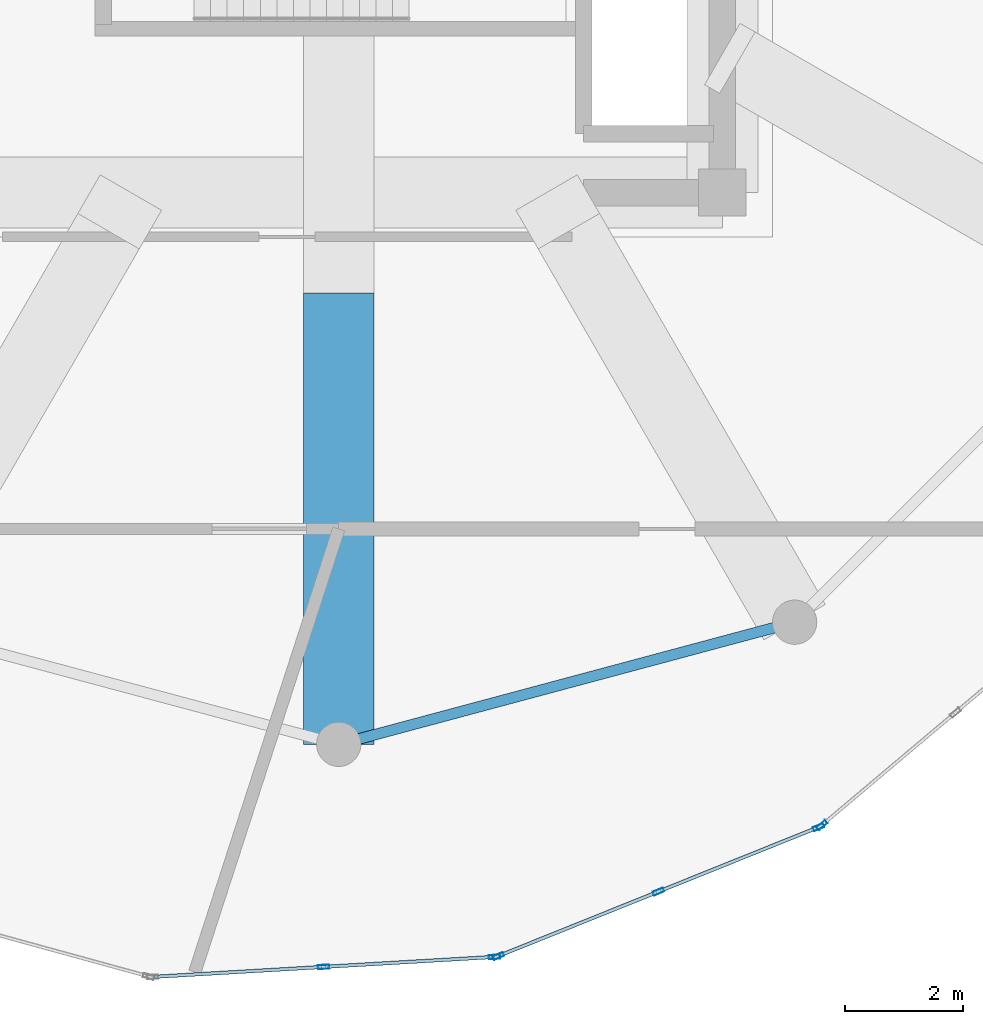
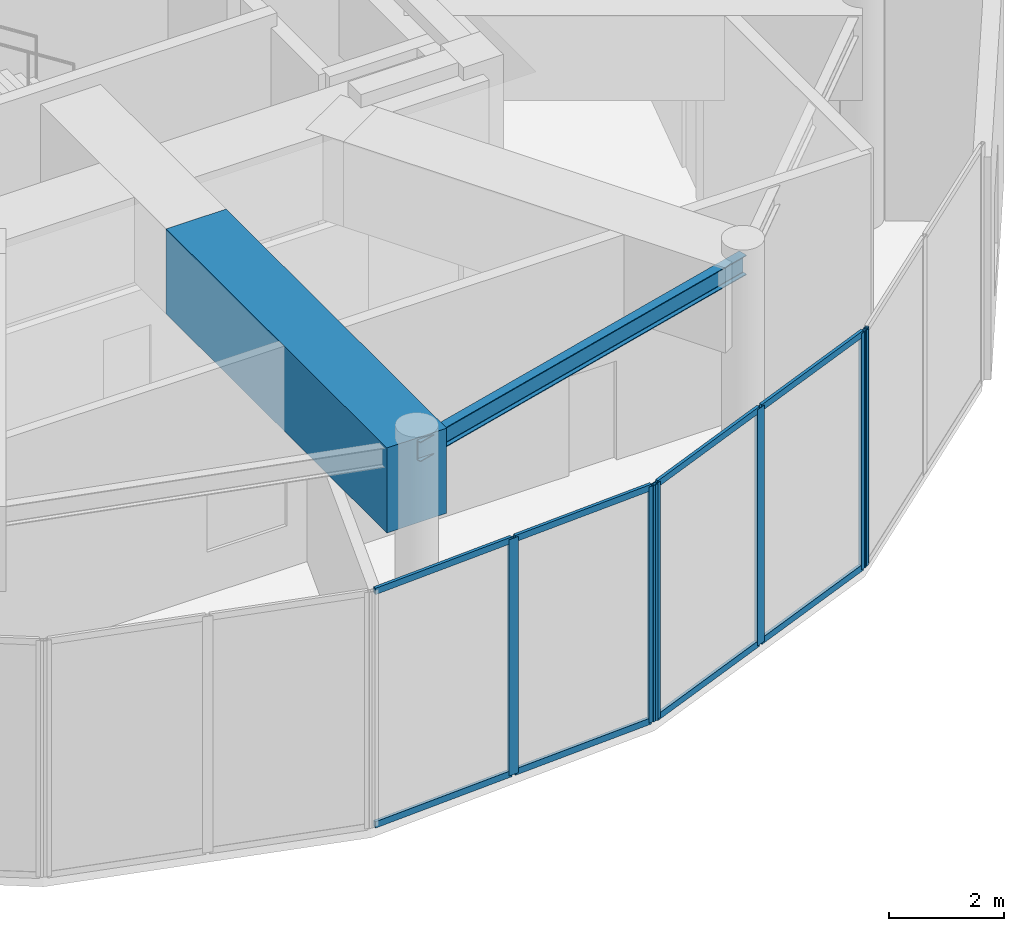
# One storey, part 5 of 20: 14 members, 2 beams, 3 elements without a shape of their own.
"""IFC4 building model written with IfcOpenShell, lengths in metres."""

from ifc_helpers import new_model, si_unit, direction, frame, origin, origin_2d, place, context, subcontext, project, spatial, rectangle, hollow_rectangle, i_section, extrude, source, transform, mapped, material, layer, layer_set, material_profile, profile_set, type_object, element, aggregate, save


model = new_model("IFC4")

# Units and contexts
model_context = context("Model", 3, precision=1e-05, world=origin(), true_north=direction((0.0, 1.0)))
body_context = subcontext(model_context, "Body", "Model", "MODEL_VIEW")
ifc_project = project(units=[si_unit("LENGTHUNIT", "METRE"), si_unit("AREAUNIT", "SQUARE_METRE"), si_unit("VOLUMEUNIT", "CUBIC_METRE"), si_unit("PLANEANGLEUNIT", "RADIAN"), si_unit("MASSUNIT", "GRAM", prefix="KILO")], contexts=[model_context])

# Site, building, storey
site_placement = place(None, origin())
site = spatial("IfcSite", under=ifc_project, at=site_placement, CompositionType="ELEMENT")
building_placement = place(site_placement, origin())
building = spatial("IfcBuilding", under=site, at=building_placement, Name="Solvirekh Grand Hotel", CompositionType="ELEMENT")
storey_placement = place(building_placement, frame((0.0, 0.0, 297.199951171875)))
storey = spatial("IfcBuildingStorey", under=building, at=storey_placement, Name="L77", CompositionType="ELEMENT", Elevation=297.199951171875)

# Beams
ifc_material_1 = material(Name="Steel S355", Category="steel")
ifc_material_profile_1 = material_profile(ifc_material_1, i_section(OverallWidth=0.180908203125, OverallDepth=0.4169921875, WebThickness=0.010009765625, FlangeThickness=0.01611328125, FilletRadius=0.011962890625, at=origin_2d()), Name="W410X85")
ifc_profile_set_1 = profile_set([ifc_material_profile_1], Name="Steel S355")
beam_type_1 = type_object("IfcBeamType", Name="Spandrel_Ring_W410", PredefinedType="SPANDREL", material=ifc_profile_set_1)
beam_1_placement = place(storey_placement, frame((0.0, -15.449951171875, 4.470947265625), z_axis=(0.965921616143, 0.258834757072, 0.0), x_axis=(-0.258834757072, 0.965921616143, 0.0)))
element("IfcBeam", 1, at=beam_1_placement, inside=storey, type_object=beam_type_1, Name="L77 perimeter spandrel beam 10", PredefinedType="SPANDREL", context=body_context, shape_type="SweptSolid", body=[
    extrude(i_section(OverallWidth=0.180908203125, OverallDepth=0.4169921875, WebThickness=0.010009765625, FlangeThickness=0.01611328125, FilletRadius=0.011962890625, at=origin_2d()), origin(), (0.0, 0.0, 1.0), 7.99755859375),
])
ifc_material_2 = material(Name="Concrete C60/75", Category="concrete")
ifc_material_profile_2 = material_profile(ifc_material_2, rectangle(XDim=1.199951171875, YDim=1.800048828125, at=origin_2d()), Name="RC GIRDER 1200X1800")
ifc_profile_set_2 = profile_set([ifc_material_profile_2], Name="Concrete C60/75")
beam_type_2 = type_object("IfcBeamType", Name="TransferGirder_RC1800", PredefinedType="USERDEFINED", material=ifc_profile_set_2)
beam_2_placement = place(storey_placement, frame((0.0, -7.800048828125, 3.820068359375), z_axis=(0.0, -1.0, 0.0), x_axis=(1.0, 0.0, 0.0)))
element("IfcBeam", 2, at=beam_2_placement, inside=storey, type_object=beam_type_2, Name="L77 outer radial transfer girder 10B", ObjectType="TRANSFER GIRDER", PredefinedType="USERDEFINED", context=body_context, shape_type="SweptSolid", body=[
    extrude(rectangle(XDim=1.199951171875, YDim=1.800048828125, at=origin_2d()), origin(), (0.0, 0.0, 1.0), 7.64990234375),
])

# Curtain wall, members
ifc_material_3 = material(Name="Anodized Bronze Aluminium 6063-T6", Category="aluminium")
ifc_layer = layer(ifc_material_3, 0.18994140625)
ifc_layer_set = layer_set([ifc_layer], Name="Anodized Bronze Aluminium 6063-T6")
curtain_wall_type = type_object("IfcCurtainWallType", Name="CW_Sys5_SkyLobbyPanoramaCW", PredefinedType="NOTDEFINED", material=ifc_layer_set)
curtain_wall_1_placement = place(storey_placement, origin())
curtain_wall_1 = element("IfcCurtainWall", 3, at=curtain_wall_1_placement, inside=storey, type_object=curtain_wall_type, Name="L77 unitised bronze-glass curtain wall CW-L77-C01", PredefinedType="NOTDEFINED")
ifc_material_profile_3 = material_profile(ifc_material_3, hollow_rectangle(XDim=0.06005859375, YDim=0.135009765625, WallThickness=0.00390625, at=origin_2d()), Name="ALU RHS 135X60X4")
ifc_profile_set_3 = profile_set([ifc_material_profile_3], Name="Anodized Bronze Aluminium 6063-T6")
member_type_1 = type_object("IfcMemberType", Name="CWTransom_Sys5", PredefinedType="USERDEFINED", material=ifc_profile_set_3)
shared_shape_1 = source(origin(), body_context, "Body", "SweptSolid", [
    extrude(hollow_rectangle(XDim=0.06005859375, YDim=0.135009765625, WallThickness=0.00390625, at=origin_2d()), origin(), (0.0, 0.0, 1.0), 2.8310546875),
])
member_1_placement = place(storey_placement, frame((-3.1181640625, -19.388916015625, 0.030029296875), z_axis=(0.998294239729, 0.058383310323, 0.0), x_axis=(-0.058383310323, 0.998294239729, 0.0)))
member_1 = element("IfcMember", 4, at=member_1_placement, type_object=member_type_1, Name="U05 transom 1.1", ObjectType="TRANSOM", PredefinedType="USERDEFINED", context=body_context, shape_type="MappedRepresentation", body=[
    mapped(shared_shape_1, transform((0.0, 0.0, 0.0), x_axis=(1.0, 0.0, 0.0), y_axis=(0.0, 1.0, 0.0), z_axis=(0.0, 0.0, 1.0), scale=1.0)),
])
member_2_placement = place(storey_placement, frame((-3.1181640625, -19.388916015625, 4.969970703125), z_axis=(0.998294239729, 0.058383310323, 0.0), x_axis=(-0.058383310323, 0.998294239729, 0.0)))
member_2 = element("IfcMember", 5, at=member_2_placement, type_object=member_type_1, Name="U05 transom 1.2", ObjectType="TRANSOM", PredefinedType="USERDEFINED", context=body_context, shape_type="MappedRepresentation", body=[
    mapped(shared_shape_1, transform((0.0, 0.0, 0.0), x_axis=(1.0, 0.0, 0.0), y_axis=(0.0, 1.0, 0.0), z_axis=(0.0, 0.0, 1.0), scale=1.0)),
])
member_3_placement = place(storey_placement, frame((-0.22216796875, -19.219482421875, 0.030029296875), z_axis=(0.998294239729, 0.058383310323, 0.0), x_axis=(-0.058383310323, 0.998294239729, 0.0)))
member_3 = element("IfcMember", 6, at=member_3_placement, type_object=member_type_1, Name="U05 transom 2.1", ObjectType="TRANSOM", PredefinedType="USERDEFINED", context=body_context, shape_type="MappedRepresentation", body=[
    mapped(shared_shape_1, transform((0.0, 0.0, 0.0), x_axis=(1.0, 0.0, 0.0), y_axis=(0.0, 1.0, 0.0), z_axis=(0.0, 0.0, 1.0), scale=1.0)),
])
member_4_placement = place(storey_placement, frame((-0.22216796875, -19.219482421875, 4.969970703125), z_axis=(0.998294239729, 0.058383310323, 0.0), x_axis=(-0.058383310323, 0.998294239729, 0.0)))
member_4 = element("IfcMember", 7, at=member_4_placement, type_object=member_type_1, Name="U05 transom 2.2", ObjectType="TRANSOM", PredefinedType="USERDEFINED", context=body_context, shape_type="MappedRepresentation", body=[
    mapped(shared_shape_1, transform((0.0, 0.0, 0.0), x_axis=(1.0, 0.0, 0.0), y_axis=(0.0, 1.0, 0.0), z_axis=(0.0, 0.0, 1.0), scale=1.0)),
])
ifc_material_profile_4 = material_profile(ifc_material_3, hollow_rectangle(XDim=0.070068359375, YDim=0.18994140625, WallThickness=0.0048828125, at=origin_2d()), Name="ALU RHS 190X70X5")
ifc_profile_set_4 = profile_set([ifc_material_profile_4], Name="Anodized Bronze Aluminium 6063-T6")
member_type_2 = type_object("IfcMemberType", Name="CWMullion_Sys5", PredefinedType="MULLION", material=ifc_profile_set_4)
shared_shape_2 = source(origin(), body_context, "Body", "SweptSolid", [
    extrude(hollow_rectangle(XDim=0.070068359375, YDim=0.18994140625, WallThickness=0.0048828125, at=origin_2d()), origin(), (0.0, 0.0, 1.0), 5.0),
])
member_5_placement = place(storey_placement, frame((-0.257080078125, -19.221435546875, 0.0), z_axis=(0.0, 0.0, 1.0), x_axis=(-0.058412544796, 0.998292529578, 0.0)))
member_5 = element("IfcMember", 8, at=member_5_placement, type_object=member_type_2, Name="U05 mullion 2", PredefinedType="MULLION", context=body_context, shape_type="MappedRepresentation", body=[
    mapped(shared_shape_2, transform((0.0, 0.0, 0.0), x_axis=(1.0, 0.0, 0.0), y_axis=(0.0, 1.0, 0.0), z_axis=(0.0, 0.0, 1.0), scale=1.0)),
])
member_6_placement = place(storey_placement, frame((2.63916015625, -19.052001953125, 0.0), z_axis=(0.0, 0.0, 1.0), x_axis=(-0.058412544796, 0.998292529578, 0.0)))
member_6 = element("IfcMember", 9, at=member_6_placement, type_object=member_type_2, Name="U05 mullion 3", PredefinedType="MULLION", context=body_context, shape_type="MappedRepresentation", body=[
    mapped(shared_shape_2, transform((0.0, 0.0, 0.0), x_axis=(1.0, 0.0, 0.0), y_axis=(0.0, 1.0, 0.0), z_axis=(0.0, 0.0, 1.0), scale=1.0)),
])
aggregate(curtain_wall_1, [member_5, member_6, member_1, member_2, member_3, member_4])

curtain_wall_2_placement = place(storey_placement, origin())
curtain_wall_2 = element("IfcCurtainWall", 10, at=curtain_wall_2_placement, inside=storey, type_object=curtain_wall_type, Name="L77 unitised bronze-glass curtain wall CW-L77-C02", PredefinedType="NOTDEFINED")
member_7_placement = place(storey_placement, frame((2.70654296875, -19.036865234375, 0.0), z_axis=(0.0, 0.0, 1.0), x_axis=(-0.373400752013, 0.927670134475, 0.0)))
member_7 = element("IfcMember", 11, at=member_7_placement, type_object=member_type_2, Name="U05 mullion 1", PredefinedType="MULLION", context=body_context, shape_type="MappedRepresentation", body=[
    mapped(shared_shape_2, transform((0.0, 0.0, 0.0), x_axis=(1.0, 0.0, 0.0), y_axis=(0.0, 1.0, 0.0), z_axis=(0.0, 0.0, 1.0), scale=1.0)),
])
member_8_placement = place(storey_placement, frame((5.41796875, -17.945556640625, 0.0), z_axis=(0.0, 0.0, 1.0), x_axis=(-0.373400752013, 0.927670134475, 0.0)))
member_8 = element("IfcMember", 12, at=member_8_placement, type_object=member_type_2, Name="U05 mullion 2", PredefinedType="MULLION", context=body_context, shape_type="MappedRepresentation", body=[
    mapped(shared_shape_2, transform((0.0, 0.0, 0.0), x_axis=(1.0, 0.0, 0.0), y_axis=(0.0, 1.0, 0.0), z_axis=(0.0, 0.0, 1.0), scale=1.0)),
])
member_9_placement = place(storey_placement, frame((8.129638671875, -16.85400390625, 0.0), z_axis=(0.0, 0.0, 1.0), x_axis=(-0.373400752013, 0.927670134475, 0.0)))
member_9 = element("IfcMember", 13, at=member_9_placement, type_object=member_type_2, Name="U05 mullion 3", PredefinedType="MULLION", context=body_context, shape_type="MappedRepresentation", body=[
    mapped(shared_shape_2, transform((0.0, 0.0, 0.0), x_axis=(1.0, 0.0, 0.0), y_axis=(0.0, 1.0, 0.0), z_axis=(0.0, 0.0, 1.0), scale=1.0)),
])

# Curtain wall, member
curtain_wall_3_placement = place(storey_placement, origin())
curtain_wall_3 = element("IfcCurtainWall", 14, at=curtain_wall_3_placement, inside=storey, type_object=curtain_wall_type, Name="L77 unitised bronze-glass curtain wall CW-L77-C03", PredefinedType="NOTDEFINED")
member_10_placement = place(storey_placement, frame((8.188720703125, -16.818359375, 0.0), z_axis=(0.0, 0.0, 1.0), x_axis=(-0.644382723333, 0.764703148856, 0.0)))
member_10 = element("IfcMember", 15, at=member_10_placement, type_object=member_type_2, Name="U05 mullion 1", PredefinedType="MULLION", context=body_context, shape_type="MappedRepresentation", body=[
    mapped(shared_shape_2, transform((0.0, 0.0, 0.0), x_axis=(1.0, 0.0, 0.0), y_axis=(0.0, 1.0, 0.0), z_axis=(0.0, 0.0, 1.0), scale=1.0)),
])
aggregate(curtain_wall_3, [member_10])

# Member
shared_shape_3 = source(origin(), body_context, "Body", "SweptSolid", [
    extrude(hollow_rectangle(XDim=0.06005859375, YDim=0.135009765625, WallThickness=0.00390625, at=origin_2d()), origin(), (0.0, 0.0, 1.0), 2.852783203125),
])
member_11_placement = place(storey_placement, frame((2.739013671875, -19.02392578125, 0.030029296875), z_axis=(0.927648138247, 0.373455394401, 0.0), x_axis=(-0.373455394401, 0.927648138247, 0.0)))
member_11 = element("IfcMember", 16, at=member_11_placement, type_object=member_type_1, Name="U05 transom 1.1", ObjectType="TRANSOM", PredefinedType="USERDEFINED", context=body_context, shape_type="MappedRepresentation", body=[
    mapped(shared_shape_3, transform((0.0, 0.0, 0.0), x_axis=(1.0, 0.0, 0.0), y_axis=(0.0, 1.0, 0.0), z_axis=(0.0, 0.0, 1.0), scale=1.0)),
])

member_12_placement = place(storey_placement, frame((2.739013671875, -19.02392578125, 4.969970703125), z_axis=(0.927648138247, 0.373455394401, 0.0), x_axis=(-0.373455394401, 0.927648138247, 0.0)))
member_12 = element("IfcMember", 17, at=member_12_placement, type_object=member_type_1, Name="U05 transom 1.2", ObjectType="TRANSOM", PredefinedType="USERDEFINED", context=body_context, shape_type="MappedRepresentation", body=[
    mapped(shared_shape_3, transform((0.0, 0.0, 0.0), x_axis=(1.0, 0.0, 0.0), y_axis=(0.0, 1.0, 0.0), z_axis=(0.0, 0.0, 1.0), scale=1.0)),
])

shared_shape_4 = source(origin(), body_context, "Body", "SweptSolid", [
    extrude(hollow_rectangle(XDim=0.06005859375, YDim=0.135009765625, WallThickness=0.00390625, at=origin_2d()), origin(), (0.0, 0.0, 1.0), 2.85302734375),
])
member_13_placement = place(storey_placement, frame((5.450439453125, -17.932373046875, 0.030029296875), z_axis=(0.92768971245, 0.373352109161, 0.0), x_axis=(-0.373352109161, 0.92768971245, 0.0)))
member_13 = element("IfcMember", 18, at=member_13_placement, type_object=member_type_1, Name="U05 transom 2.1", ObjectType="TRANSOM", PredefinedType="USERDEFINED", context=body_context, shape_type="MappedRepresentation", body=[
    mapped(shared_shape_4, transform((0.0, 0.0, 0.0), x_axis=(1.0, 0.0, 0.0), y_axis=(0.0, 1.0, 0.0), z_axis=(0.0, 0.0, 1.0), scale=1.0)),
])

member_14_placement = place(storey_placement, frame((5.450439453125, -17.932373046875, 4.969970703125), z_axis=(0.92768971245, 0.373352109161, 0.0), x_axis=(-0.373352109161, 0.92768971245, 0.0)))
member_14 = element("IfcMember", 19, at=member_14_placement, type_object=member_type_1, Name="U05 transom 2.2", ObjectType="TRANSOM", PredefinedType="USERDEFINED", context=body_context, shape_type="MappedRepresentation", body=[
    mapped(shared_shape_4, transform((0.0, 0.0, 0.0), x_axis=(1.0, 0.0, 0.0), y_axis=(0.0, 1.0, 0.0), z_axis=(0.0, 0.0, 1.0), scale=1.0)),
])

aggregate(curtain_wall_2, [member_7, member_8, member_9, member_11, member_12, member_13, member_14])

save(model, "model.ifc")
